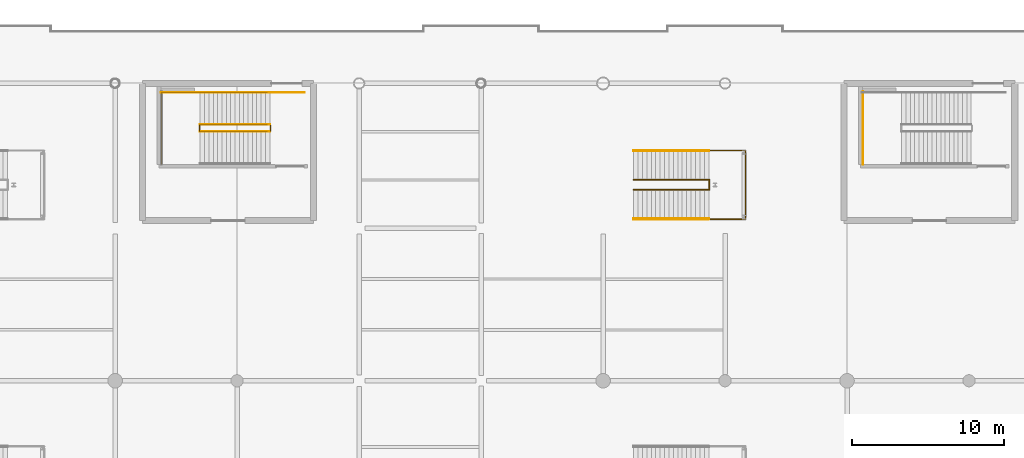
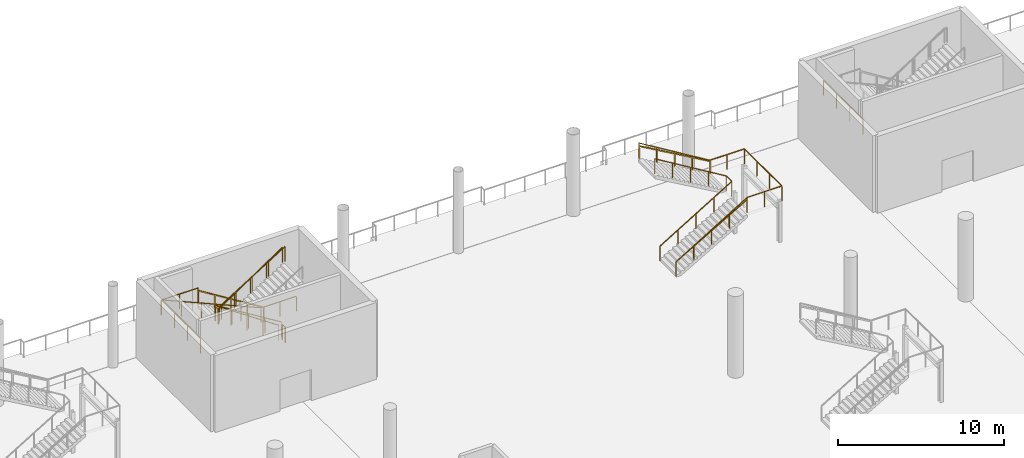
# One storey, part 161 of 163: 16 railings, 1 element without a shape of its own.
"""IFC4 building model written with IfcOpenShell, lengths in metres."""

import ifcopenshell
import ifcopenshell.guid

model = None  # the IFC model being written
_history = None  # IfcOwnerHistory: only IFC2X3 demands one
_inside = {}  # id of a spatial element -> (the spatial element, [elements in it])
_under = {}  # id of a project, library or spatial element -> (it, [spatial elements below it])
_declared = {}  # id of a project -> (the project, [libraries it declares])
_typed = {}  # id of a type object -> (the type object, [elements of that type])
_made_of = {}  # id of a material, layer set ... -> (it, [elements and type objects made of it])


def new_model(schema):
    """Start an empty IFC model of exactly this schema.

    Asked for "IFC4X3", IfcOpenShell would pick the latest addendum, in which some entities
    have other attributes; the version numbers below select the first issue.
    IFC2X3 requires an IfcOwnerHistory on every rooted entity: one is made here for all.
    """
    global model, _history
    if schema == "IFC4X3":
        model = ifcopenshell.file(schema_version=(4, 3, 0, 0))
    else:
        model = ifcopenshell.file(schema=schema)
    _inside.clear()
    _under.clear()
    _declared.clear()
    _typed.clear()
    _made_of.clear()
    _history = None
    if model.schema == "IFC2X3":
        org = make("IfcOrganization", Name="unknown")
        user = make(
            "IfcPersonAndOrganization",
            ThePerson=make("IfcPerson", FamilyName="unknown"),
            TheOrganization=org,
        )
        app = make(
            "IfcApplication",
            ApplicationDeveloper=org,
            Version="unknown",
            ApplicationFullName="unknown",
            ApplicationIdentifier="unknown",
        )
        _history = make(
            "IfcOwnerHistory",
            OwningUser=user,
            OwningApplication=app,
            ChangeAction="ADDED",
            CreationDate=0,
        )
    return model


def make(cls, **values):
    """One entity of the class cls with the attributes given. An attribute that is None is left unset."""
    return model.create_entity(
        cls, **{name: value for name, value in values.items() if value is not None}
    )


def rooted(cls, **values):
    """An entity with a GlobalId (a new one), such as an element, a storey or a relation."""
    return make(cls, GlobalId=ifcopenshell.guid.new(), OwnerHistory=_history, **values)


def si_unit(unit_type, name, prefix=None):
    """IfcSIUnit, for example si_unit("LENGTHUNIT", "METRE", prefix="MILLI")."""
    return make("IfcSIUnit", UnitType=unit_type, Prefix=prefix, Name=name)


def assignment(units):
    """IfcUnitAssignment: the units of a project."""
    return None if units is None else make("IfcUnitAssignment", Units=units)


def point(xyz):
    """IfcCartesianPoint."""
    return None if xyz is None else make("IfcCartesianPoint", Coordinates=xyz)


def direction(xyz):
    """IfcDirection."""
    return None if xyz is None else make("IfcDirection", DirectionRatios=xyz)


def frame(location, z_axis=None, x_axis=None):
    """IfcAxis2Placement3D, a coordinate frame: its origin and axes. An axis left out is left unset."""
    return make(
        "IfcAxis2Placement3D",
        Location=point(location),
        Axis=direction(z_axis),
        RefDirection=direction(x_axis),
    )


def frame_2d(location, x_axis=None):
    """IfcAxis2Placement2D, a coordinate frame in the plane: its origin and x axis."""
    return make(
        "IfcAxis2Placement2D", Location=point(location), RefDirection=direction(x_axis)
    )


def origin():
    """The frame at (0, 0, 0) with its axes left unset."""
    return frame((0.0, 0.0, 0.0))


def origin_2d():
    """The frame at (0, 0) in the plane with its x axis left unset."""
    return frame_2d((0.0, 0.0))


def place(relative_to, where):
    """IfcLocalPlacement: puts the frame where relative to a parent placement (None: the world)."""
    return make(
        "IfcLocalPlacement", PlacementRelTo=relative_to, RelativePlacement=where
    )


def context(
    kind, dimensions, precision=None, world=None, true_north=None, identifier=None
):
    """IfcGeometricRepresentationContext, for example the 3D "Model" context."""
    return make(
        "IfcGeometricRepresentationContext",
        ContextIdentifier=identifier,
        ContextType=kind,
        CoordinateSpaceDimension=dimensions,
        Precision=precision,
        WorldCoordinateSystem=world,
        TrueNorth=true_north,
    )


def subcontext(parent, identifier, kind, view, scale=None):
    """IfcGeometricRepresentationSubContext, for example "Body" below "Model"."""
    return make(
        "IfcGeometricRepresentationSubContext",
        ContextIdentifier=identifier,
        ContextType=kind,
        ParentContext=parent,
        TargetScale=scale,
        TargetView=view,
    )


def project(units=None, contexts=None):
    """IfcProject with its units and contexts."""
    return rooted(
        "IfcProject",
        Name="project",
        RepresentationContexts=contexts,
        UnitsInContext=assignment(units),
    )


def spatial(cls, under=None, at=None, **own):
    """A site, building, storey or space (cls), placed at a placement, below another one or the project."""
    s = rooted(cls, ObjectPlacement=at, **own)
    if under is not None:
        _under.setdefault(under.id(), (under, []))[1].append(s)
    return s


def profile(cls, at=None, kind="AREA", **sizes):
    """A parametric profile (cls). Its sizes go by their IFC names, for example OverallWidth=200.0."""
    return make(cls, ProfileType=kind, Position=at, **sizes)


def rectangle(**sizes):
    """IfcRectangleProfileDef."""
    return profile("IfcRectangleProfileDef", **sizes)


def extrude(swept, where, along, depth):
    """IfcExtrudedAreaSolid: the profile swept, set in the frame where, extruded along a direction by depth."""
    return make(
        "IfcExtrudedAreaSolid",
        SweptArea=swept,
        Position=where,
        ExtrudedDirection=direction(along),
        Depth=depth,
    )


def shape(context_of_items, identifier, shape_type, items):
    """IfcShapeRepresentation: the items that make up one representation, for example the "Body"."""
    return make(
        "IfcShapeRepresentation",
        ContextOfItems=context_of_items,
        RepresentationIdentifier=identifier,
        RepresentationType=shape_type,
        Items=items,
    )


def material(Name=None, Category=None):
    """IfcMaterial."""
    return make("IfcMaterial", Name=Name, Category=Category)


def made_of(thing, what):
    """Note that an element or type object is made of a material, layer set ...; save() writes the relation."""
    if what is not None:
        _made_of.setdefault(what.id(), (what, []))[1].append(thing)
    return thing


def type_object(cls, material=None, **own):
    """A type object (cls), such as IfcWallType, which elements share."""
    return made_of(rooted(cls, **own), material)


def element(
    cls,
    number,
    at=None,
    inside=None,
    cuts=None,
    type_object=None,
    material=None,
    context=None,
    identifier="Body",
    shape_type=None,
    held_by="IfcProductDefinitionShape",
    body=None,
    shapes=None,
    **own,
):
    """One element of the class cls, such as IfcWall. Its Tag is "e" and its number.

    at: its placement. inside: the storey or other place that contains it. cuts: it is an
    opening in that element (IfcRelVoidsElement). A single representation is given by context,
    identifier, shape_type and body (its items); several are given by shapes. held_by: the class
    of the entity that holds the representations. save() writes the other relations.
    """
    e = rooted(cls, Tag="e%d" % number, ObjectPlacement=at, **own)
    if body is not None:
        shapes = [shape(context, identifier, shape_type, body)]
    if shapes is not None:
        e.Representation = make(held_by, Representations=shapes)
    if inside is not None:
        _inside.setdefault(inside.id(), (inside, []))[1].append(e)
    if cuts is not None:
        rooted(
            "IfcRelVoidsElement", RelatingBuildingElement=cuts, RelatedOpeningElement=e
        )
    if type_object is not None:
        _typed.setdefault(type_object.id(), (type_object, []))[1].append(e)
    return made_of(e, material)


def aggregate(whole, parts):
    """IfcRelAggregates: a whole, such as a stair, and the parts it consists of."""
    return rooted("IfcRelAggregates", RelatingObject=whole, RelatedObjects=parts)


def save(model, path):
    """Write the relations noted so far, then the file.

    IfcRelAggregates (storeys below a building ...), IfcRelContainedInSpatialStructure (elements
    in a storey), IfcRelDefinesByType, IfcRelAssociatesMaterial and IfcRelDeclares: one each for
    every whole, place, type object, material and project.
    """
    for whole, parts in _under.values():
        aggregate(whole, parts)
    for where, things in _inside.values():
        rooted(
            "IfcRelContainedInSpatialStructure",
            RelatedElements=things,
            RelatingStructure=where,
        )
    for kind, things in _typed.values():
        rooted("IfcRelDefinesByType", RelatedObjects=things, RelatingType=kind)
    for what, things in _made_of.values():
        rooted("IfcRelAssociatesMaterial", RelatedObjects=things, RelatingMaterial=what)
    for by, libraries in _declared.values():
        rooted("IfcRelDeclares", RelatingContext=by, RelatedDefinitions=libraries)
    model.write(path)


model = new_model("IFC4")

# Units and contexts
model_context = context("Model", 3, precision=1e-05, world=origin(), true_north=direction((0.0, 1.0)))
body_context = subcontext(model_context, "Body", "Model", "MODEL_VIEW")
ifc_project = project(units=[si_unit("LENGTHUNIT", "METRE"), si_unit("AREAUNIT", "SQUARE_METRE"), si_unit("VOLUMEUNIT", "CUBIC_METRE"), si_unit("PLANEANGLEUNIT", "RADIAN"), si_unit("MASSUNIT", "GRAM", prefix="KILO")], contexts=[model_context])

# Site, building, storey
site_placement = place(None, origin())
site = spatial("IfcSite", under=ifc_project, at=site_placement, CompositionType="ELEMENT")
building_placement = place(site_placement, origin())
building = spatial("IfcBuilding", under=site, at=building_placement, Name="Khorjan Park Terminus", CompositionType="ELEMENT")
storey_placement = place(building_placement, origin())
storey = spatial("IfcBuildingStorey", under=building, at=storey_placement, Name="L00", CompositionType="ELEMENT", Elevation=0.0)

# Railings
ifc_material_1 = material(Name="Steel S355", Category="steel")
railing_type_1 = type_object("IfcRailingType", Name="GR-112", PredefinedType="GUARDRAIL", material=ifc_material_1)
railing_1_placement = place(storey_placement, frame((82.14, 151.3, 0.1765)))
element("IfcRailing", 1, at=railing_1_placement, inside=storey, type_object=railing_type_1, Name="L00 ST-06 stair guard 1", PredefinedType="GUARDRAIL", context=body_context, shape_type="SweptSolid", body=[
    extrude(rectangle(XDim=0.048, YDim=0.048, at=origin_2d()), frame((0.0, 0.0, 1.096), z_axis=(-0.850211499722, 0.0, 0.526441265234), x_axis=(0.0, -1.0, 0.0)), (0.0, 0.0, 1.0), 5.3634),
    extrude(rectangle(XDim=0.042, YDim=0.042, at=origin_2d()), origin(), (0.0, 0.0, 1.0), 1.072),
    extrude(rectangle(XDim=0.042, YDim=0.042, at=origin_2d()), frame((-1.14, 0.0, 0.7059)), (0.0, 0.0, 1.0), 1.072),
    extrude(rectangle(XDim=0.042, YDim=0.042, at=origin_2d()), frame((-2.28, 0.0, 1.4118)), (0.0, 0.0, 1.0), 1.072),
    extrude(rectangle(XDim=0.042, YDim=0.042, at=origin_2d()), frame((-3.42, 0.0, 2.1176)), (0.0, 0.0, 1.0), 1.072),
    extrude(rectangle(XDim=0.042, YDim=0.042, at=origin_2d()), frame((-4.56, 0.0, 2.8235)), (0.0, 0.0, 1.0), 1.072),
])
railing_2_placement = place(storey_placement, frame((77.53, 151.25, 3.0)))
element("IfcRailing", 2, at=railing_2_placement, inside=storey, type_object=railing_type_1, Name="L00 ST-06 stair guard 2", PredefinedType="GUARDRAIL", context=body_context, shape_type="SweptSolid", body=[
    extrude(rectangle(XDim=0.048, YDim=0.048, at=origin_2d()), frame((0.0, 0.0, 1.096), z_axis=(0.0, -1.0, 0.0), x_axis=(1.0, 0.0, 0.0)), (0.0, 0.0, 1.0), 0.36),
    extrude(rectangle(XDim=0.042, YDim=0.042, at=origin_2d()), origin(), (0.0, 0.0, 1.0), 1.072),
    extrude(rectangle(XDim=0.042, YDim=0.042, at=origin_2d()), frame((0.0, -0.36, 0.0)), (0.0, 0.0, 1.0), 1.072),
])
railing_3_placement = place(storey_placement, frame((77.58, 153.4, 3.0)))
element("IfcRailing", 3, at=railing_3_placement, inside=storey, type_object=railing_type_1, Name="L00 ST-06 stair guard 3", PredefinedType="GUARDRAIL", context=body_context, shape_type="SweptSolid", body=[
    extrude(rectangle(XDim=0.048, YDim=0.048, at=origin_2d()), frame((0.0, 0.0, 1.096), z_axis=(-1.0, 0.0, 0.0), x_axis=(0.0, -1.0, 0.0)), (0.0, 0.0, 1.0), 2.58),
    extrude(rectangle(XDim=0.042, YDim=0.042, at=origin_2d()), origin(), (0.0, 0.0, 1.0), 1.072),
    extrude(rectangle(XDim=0.042, YDim=0.042, at=origin_2d()), frame((-1.29, 0.0, 0.0)), (0.0, 0.0, 1.0), 1.072),
    extrude(rectangle(XDim=0.042, YDim=0.042, at=origin_2d()), frame((-2.58, 0.0, 0.0)), (0.0, 0.0, 1.0), 1.072),
])
railing_4_placement = place(storey_placement, frame((77.58, 150.84, 3.1765)))
element("IfcRailing", 4, at=railing_4_placement, inside=storey, type_object=railing_type_1, Name="L00 ST-06 stair guard 5", PredefinedType="GUARDRAIL", context=body_context, shape_type="SweptSolid", body=[
    extrude(rectangle(XDim=0.048, YDim=0.048, at=origin_2d()), frame((0.0, 0.0, 1.096), z_axis=(0.850211499722, 0.0, 0.526441265234), x_axis=(0.0, 1.0, 0.0)), (0.0, 0.0, 1.0), 5.3634),
    extrude(rectangle(XDim=0.042, YDim=0.042, at=origin_2d()), origin(), (0.0, 0.0, 1.0), 1.072),
    extrude(rectangle(XDim=0.042, YDim=0.042, at=origin_2d()), frame((1.14, 0.0, 0.7059)), (0.0, 0.0, 1.0), 1.072),
    extrude(rectangle(XDim=0.042, YDim=0.042, at=origin_2d()), frame((2.28, 0.0, 1.4118)), (0.0, 0.0, 1.0), 1.072),
    extrude(rectangle(XDim=0.042, YDim=0.042, at=origin_2d()), frame((3.42, 0.0, 2.1176)), (0.0, 0.0, 1.0), 1.072),
    extrude(rectangle(XDim=0.042, YDim=0.042, at=origin_2d()), frame((4.56, 0.0, 2.8235)), (0.0, 0.0, 1.0), 1.072),
])
railing_5_placement = place(storey_placement, frame((82.19, 151.25, 0.0)))
element("IfcRailing", 5, at=railing_5_placement, inside=storey, type_object=railing_type_1, Name="L00 ST-06 stair guard 6", PredefinedType="GUARDRAIL", context=body_context, shape_type="SweptSolid", body=[
    extrude(rectangle(XDim=0.048, YDim=0.048, at=origin_2d()), frame((0.0, 0.0, 1.096), z_axis=(0.0, -1.0, 0.0), x_axis=(1.0, 0.0, 0.0)), (0.0, 0.0, 1.0), 0.36),
    extrude(rectangle(XDim=0.042, YDim=0.042, at=origin_2d()), origin(), (0.0, 0.0, 1.0), 1.072),
    extrude(rectangle(XDim=0.042, YDim=0.042, at=origin_2d()), frame((0.0, -0.36, 0.0)), (0.0, 0.0, 1.0), 1.072),
])
railing_6_placement = place(storey_placement, frame((84.4, 153.4, 0.0)))
element("IfcRailing", 6, at=railing_6_placement, inside=storey, type_object=railing_type_1, Name="L00 ST-06 stair guard 7", PredefinedType="GUARDRAIL", context=body_context, shape_type="SweptSolid", body=[
    extrude(rectangle(XDim=0.048, YDim=0.048, at=origin_2d()), frame((0.0, 0.0, 1.096), z_axis=(-1.0, 0.0, 0.0), x_axis=(0.0, -1.0, 0.0)), (0.0, 0.0, 1.0), 2.26),
    extrude(rectangle(XDim=0.042, YDim=0.042, at=origin_2d()), origin(), (0.0, 0.0, 1.0), 1.072),
    extrude(rectangle(XDim=0.042, YDim=0.042, at=origin_2d()), frame((-1.13, 0.0, 0.0)), (0.0, 0.0, 1.0), 1.072),
    extrude(rectangle(XDim=0.042, YDim=0.042, at=origin_2d()), frame((-2.26, 0.0, 0.0)), (0.0, 0.0, 1.0), 1.072),
])
railing_7_placement = place(storey_placement, frame((81.96, 151.29, 0.0)))
element("IfcRailing", 7, at=railing_7_placement, inside=storey, type_object=railing_type_1, Name="Core K6 stair well slot guard GR-112 (L00)", PredefinedType="GUARDRAIL", context=body_context, shape_type="SweptSolid", body=[
    extrude(rectangle(XDim=0.048, YDim=0.048, at=origin_2d()), frame((0.0, 0.0, 1.096), z_axis=(-0.827413642594, 0.0, 0.561592970086), x_axis=(0.0, -1.0, 0.0)), (0.0, 0.0, 1.0), 5.3419),
    extrude(rectangle(XDim=0.048, YDim=0.048, at=origin_2d()), frame((-4.42, 0.0, 4.096), z_axis=(0.0, -1.0, 0.0), x_axis=(1.0, 0.0, 0.0)), (0.0, 0.0, 1.0), 0.44),
    extrude(rectangle(XDim=0.048, YDim=0.048, at=origin_2d()), frame((-4.42, -0.44, 4.096), z_axis=(0.827413642594, 0.0, 0.561592970086), x_axis=(0.0, 1.0, 0.0)), (0.0, 0.0, 1.0), 5.3419),
    extrude(rectangle(XDim=0.042, YDim=0.042, at=origin_2d()), origin(), (0.0, 0.0, 1.0), 1.072),
    extrude(rectangle(XDim=0.042, YDim=0.042, at=origin_2d()), frame((-1.105, 0.0, 0.75)), (0.0, 0.0, 1.0), 1.072),
    extrude(rectangle(XDim=0.042, YDim=0.042, at=origin_2d()), frame((-2.21, 0.0, 1.5)), (0.0, 0.0, 1.0), 1.072),
    extrude(rectangle(XDim=0.042, YDim=0.042, at=origin_2d()), frame((-3.315, 0.0, 2.25)), (0.0, 0.0, 1.0), 1.072),
    extrude(rectangle(XDim=0.042, YDim=0.042, at=origin_2d()), frame((-4.42, 0.0, 3.0)), (0.0, 0.0, 1.0), 1.072),
    extrude(rectangle(XDim=0.042, YDim=0.042, at=origin_2d()), frame((-4.42, -0.44, 3.0)), (0.0, 0.0, 1.0), 1.072),
    extrude(rectangle(XDim=0.042, YDim=0.042, at=origin_2d()), frame((-3.315, -0.44, 3.75)), (0.0, 0.0, 1.0), 1.072),
    extrude(rectangle(XDim=0.042, YDim=0.042, at=origin_2d()), frame((-2.21, -0.44, 4.5)), (0.0, 0.0, 1.0), 1.072),
    extrude(rectangle(XDim=0.042, YDim=0.042, at=origin_2d()), frame((-1.105, -0.44, 5.25)), (0.0, 0.0, 1.0), 1.072),
    extrude(rectangle(XDim=0.042, YDim=0.042, at=origin_2d()), frame((0.0, -0.44, 6.0)), (0.0, 0.0, 1.0), 1.072),
])
railing_8_placement = place(storey_placement, frame((81.96, 153.41, 0.0)))
element("IfcRailing", 8, at=railing_8_placement, inside=storey, type_object=railing_type_1, Name="Core K6 stair side & landing guard GR-112 (L00)", PredefinedType="GUARDRAIL", context=body_context, shape_type="SweptSolid", body=[
    extrude(rectangle(XDim=0.048, YDim=0.048, at=origin_2d()), frame((0.0, 0.0, 1.096), z_axis=(-0.917491118927, 0.0, 0.397756265431), x_axis=(0.0, -1.0, 0.0)), (0.0, 0.0, 1.0), 7.5423),
    extrude(rectangle(XDim=0.048, YDim=0.048, at=origin_2d()), frame((-6.92, 0.0, 4.096), z_axis=(0.0, -1.0, 0.0), x_axis=(1.0, 0.0, 0.0)), (0.0, 0.0, 1.0), 4.68),
    extrude(rectangle(XDim=0.042, YDim=0.042, at=origin_2d()), origin(), (0.0, 0.0, 1.0), 1.072),
    extrude(rectangle(XDim=0.042, YDim=0.042, at=origin_2d()), frame((-1.384, 0.0, 0.6)), (0.0, 0.0, 1.0), 1.072),
    extrude(rectangle(XDim=0.042, YDim=0.042, at=origin_2d()), frame((-2.768, 0.0, 1.2)), (0.0, 0.0, 1.0), 1.072),
    extrude(rectangle(XDim=0.042, YDim=0.042, at=origin_2d()), frame((-4.152, 0.0, 1.8)), (0.0, 0.0, 1.0), 1.072),
    extrude(rectangle(XDim=0.042, YDim=0.042, at=origin_2d()), frame((-5.536, 0.0, 2.4)), (0.0, 0.0, 1.0), 1.072),
    extrude(rectangle(XDim=0.042, YDim=0.042, at=origin_2d()), frame((-6.92, 0.0, 3.0)), (0.0, 0.0, 1.0), 1.072),
    extrude(rectangle(XDim=0.042, YDim=0.042, at=origin_2d()), frame((-6.92, -1.56, 3.0)), (0.0, 0.0, 1.0), 1.072),
    extrude(rectangle(XDim=0.042, YDim=0.042, at=origin_2d()), frame((-6.92, -3.12, 3.0)), (0.0, 0.0, 1.0), 1.072),
    extrude(rectangle(XDim=0.042, YDim=0.042, at=origin_2d()), frame((-6.92, -4.68, 3.0)), (0.0, 0.0, 1.0), 1.072),
])
railing_9_placement = place(storey_placement, frame((121.05, 153.45, 3.0)))
element("IfcRailing", 9, at=railing_9_placement, inside=storey, type_object=railing_type_1, Name="L00 ST-07 stair guard 4", PredefinedType="GUARDRAIL", context=body_context, shape_type="SweptSolid", body=[
    extrude(rectangle(XDim=0.048, YDim=0.048, at=origin_2d()), frame((0.0, 0.0, 1.096), z_axis=(0.0, -1.0, 0.0), x_axis=(1.0, 0.0, 0.0)), (0.0, 0.0, 1.0), 4.76),
    extrude(rectangle(XDim=0.042, YDim=0.042, at=origin_2d()), origin(), (0.0, 0.0, 1.0), 1.072),
    extrude(rectangle(XDim=0.042, YDim=0.042, at=origin_2d()), frame((0.0, -1.5867, 0.0)), (0.0, 0.0, 1.0), 1.072),
    extrude(rectangle(XDim=0.042, YDim=0.042, at=origin_2d()), frame((0.0, -3.1733, 0.0)), (0.0, 0.0, 1.0), 1.072),
    extrude(rectangle(XDim=0.042, YDim=0.042, at=origin_2d()), frame((0.0, -4.76, 0.0)), (0.0, 0.0, 1.0), 1.072),
])

# Stair, railings
ifc_material_2 = material(Name="Concrete C40/50", Category="concrete")
stair_type = type_object("IfcStairType", Name="STR-PUB-200", PredefinedType="HALF_TURN_STAIR", material=ifc_material_2)
stair_placement = place(storey_placement, origin())
stair = element("IfcStair", 10, at=stair_placement, inside=storey, type_object=stair_type, Name="Public passenger half-turn stair PS-06", PredefinedType="HALF_TURN_STAIR")
railing_10_placement = place(storey_placement, frame((106.0, 147.02, 0.0)))
railing_10 = element("IfcRailing", 11, at=railing_10_placement, type_object=railing_type_1, Name="Stair PS-06 inner well slot guard GR-112", PredefinedType="GUARDRAIL", context=body_context, shape_type="SweptSolid", body=[
    extrude(rectangle(XDim=0.048, YDim=0.048, at=origin_2d()), frame((0.0, 0.0, 1.096), z_axis=(0.856121964148, 0.0, 0.516773821418), x_axis=(0.0, 1.0, 0.0)), (0.0, 0.0, 1.0), 5.8052),
    extrude(rectangle(XDim=0.048, YDim=0.048, at=origin_2d()), frame((4.97, 0.0, 4.096), z_axis=(0.0, 1.0, 0.0), x_axis=(-1.0, 0.0, 0.0)), (0.0, 0.0, 1.0), 0.66),
    extrude(rectangle(XDim=0.048, YDim=0.048, at=origin_2d()), frame((4.97, 0.66, 4.096), z_axis=(-0.856121964148, 0.0, 0.516773821418), x_axis=(0.0, -1.0, 0.0)), (0.0, 0.0, 1.0), 5.8052),
    extrude(rectangle(XDim=0.042, YDim=0.042, at=origin_2d()), origin(), (0.0, 0.0, 1.0), 1.072),
    extrude(rectangle(XDim=0.042, YDim=0.042, at=origin_2d()), frame((1.2425, 0.0, 0.75)), (0.0, 0.0, 1.0), 1.072),
    extrude(rectangle(XDim=0.042, YDim=0.042, at=origin_2d()), frame((2.485, 0.0, 1.5)), (0.0, 0.0, 1.0), 1.072),
    extrude(rectangle(XDim=0.042, YDim=0.042, at=origin_2d()), frame((3.7275, 0.0, 2.25)), (0.0, 0.0, 1.0), 1.072),
    extrude(rectangle(XDim=0.042, YDim=0.042, at=origin_2d()), frame((4.97, 0.0, 3.0)), (0.0, 0.0, 1.0), 1.072),
    extrude(rectangle(XDim=0.042, YDim=0.042, at=origin_2d()), frame((4.97, 0.66, 3.0)), (0.0, 0.0, 1.0), 1.072),
    extrude(rectangle(XDim=0.042, YDim=0.042, at=origin_2d()), frame((3.7275, 0.66, 3.75)), (0.0, 0.0, 1.0), 1.072),
    extrude(rectangle(XDim=0.042, YDim=0.042, at=origin_2d()), frame((2.485, 0.66, 4.5)), (0.0, 0.0, 1.0), 1.072),
    extrude(rectangle(XDim=0.042, YDim=0.042, at=origin_2d()), frame((1.2425, 0.66, 5.25)), (0.0, 0.0, 1.0), 1.072),
    extrude(rectangle(XDim=0.042, YDim=0.042, at=origin_2d()), frame((0.0, 0.66, 6.0)), (0.0, 0.0, 1.0), 1.072),
])
railing_11_placement = place(storey_placement, frame((110.93, 145.1, 3.0)))
railing_11 = element("IfcRailing", 12, at=railing_11_placement, type_object=railing_type_1, Name="Stair PS-06 horizontal half-landing guard GR-112", PredefinedType="GUARDRAIL", context=body_context, shape_type="SweptSolid", body=[
    extrude(rectangle(XDim=0.048, YDim=0.048, at=origin_2d()), frame((0.0, 0.0, 1.096), z_axis=(1.0, 0.0, 0.0), x_axis=(0.0, 1.0, 0.0)), (0.0, 0.0, 1.0), 2.41),
    extrude(rectangle(XDim=0.048, YDim=0.048, at=origin_2d()), frame((2.41, 0.0, 1.096), z_axis=(0.0, 1.0, 0.0), x_axis=(-1.0, 0.0, 0.0)), (0.0, 0.0, 1.0), 4.5),
    extrude(rectangle(XDim=0.048, YDim=0.048, at=origin_2d()), frame((2.41, 4.5, 1.096), z_axis=(-1.0, 0.0, 0.0), x_axis=(0.0, -1.0, 0.0)), (0.0, 0.0, 1.0), 2.41),
    extrude(rectangle(XDim=0.042, YDim=0.042, at=origin_2d()), origin(), (0.0, 0.0, 1.0), 1.072),
    extrude(rectangle(XDim=0.042, YDim=0.042, at=origin_2d()), frame((1.205, 0.0, 0.0)), (0.0, 0.0, 1.0), 1.072),
    extrude(rectangle(XDim=0.042, YDim=0.042, at=origin_2d()), frame((2.41, 0.0, 0.0)), (0.0, 0.0, 1.0), 1.072),
    extrude(rectangle(XDim=0.042, YDim=0.042, at=origin_2d()), frame((2.41, 1.5, 0.0)), (0.0, 0.0, 1.0), 1.072),
    extrude(rectangle(XDim=0.042, YDim=0.042, at=origin_2d()), frame((2.41, 3.0, 0.0)), (0.0, 0.0, 1.0), 1.072),
    extrude(rectangle(XDim=0.042, YDim=0.042, at=origin_2d()), frame((2.41, 4.5, 0.0)), (0.0, 0.0, 1.0), 1.072),
    extrude(rectangle(XDim=0.042, YDim=0.042, at=origin_2d()), frame((1.205, 4.5, 0.0)), (0.0, 0.0, 1.0), 1.072),
    extrude(rectangle(XDim=0.042, YDim=0.042, at=origin_2d()), frame((0.0, 4.5, 0.0)), (0.0, 0.0, 1.0), 1.072),
])
railing_12_placement = place(storey_placement, frame((106.0, 145.1, 0.0)))
railing_12 = element("IfcRailing", 13, at=railing_12_placement, type_object=railing_type_1, Name="Stair PS-06 lower outer flight guard GR-112", PredefinedType="GUARDRAIL", context=body_context, shape_type="SweptSolid", body=[
    extrude(rectangle(XDim=0.048, YDim=0.048, at=origin_2d()), frame((0.0, 0.0, 1.096), z_axis=(0.854265470084, 0.0, 0.519837000051), x_axis=(0.0, 1.0, 0.0)), (0.0, 0.0, 1.0), 5.771),
    extrude(rectangle(XDim=0.042, YDim=0.042, at=origin_2d()), origin(), (0.0, 0.0, 1.0), 1.072),
    extrude(rectangle(XDim=0.042, YDim=0.042, at=origin_2d()), frame((1.2325, 0.0, 0.75)), (0.0, 0.0, 1.0), 1.072),
    extrude(rectangle(XDim=0.042, YDim=0.042, at=origin_2d()), frame((2.465, 0.0, 1.5)), (0.0, 0.0, 1.0), 1.072),
    extrude(rectangle(XDim=0.042, YDim=0.042, at=origin_2d()), frame((3.6975, 0.0, 2.25)), (0.0, 0.0, 1.0), 1.072),
    extrude(rectangle(XDim=0.042, YDim=0.042, at=origin_2d()), frame((4.93, 0.0, 3.0)), (0.0, 0.0, 1.0), 1.072),
])
railing_13_placement = place(storey_placement, frame((110.93, 149.6, 3.0)))
railing_13 = element("IfcRailing", 14, at=railing_13_placement, type_object=railing_type_1, Name="Stair PS-06 upper outer flight guard GR-112", PredefinedType="GUARDRAIL", context=body_context, shape_type="SweptSolid", body=[
    extrude(rectangle(XDim=0.048, YDim=0.048, at=origin_2d()), frame((0.0, 0.0, 1.096), z_axis=(-0.854265470084, 0.0, 0.519837000051), x_axis=(0.0, -1.0, 0.0)), (0.0, 0.0, 1.0), 5.771),
    extrude(rectangle(XDim=0.042, YDim=0.042, at=origin_2d()), origin(), (0.0, 0.0, 1.0), 1.072),
    extrude(rectangle(XDim=0.042, YDim=0.042, at=origin_2d()), frame((-1.2325, 0.0, 0.75)), (0.0, 0.0, 1.0), 1.072),
    extrude(rectangle(XDim=0.042, YDim=0.042, at=origin_2d()), frame((-2.465, 0.0, 1.5)), (0.0, 0.0, 1.0), 1.072),
    extrude(rectangle(XDim=0.042, YDim=0.042, at=origin_2d()), frame((-3.6975, 0.0, 2.25)), (0.0, 0.0, 1.0), 1.072),
    extrude(rectangle(XDim=0.042, YDim=0.042, at=origin_2d()), frame((-4.93, 0.0, 3.0)), (0.0, 0.0, 1.0), 1.072),
])

# Railing
railing_type_2 = type_object("IfcRailingType", Name="HR-92", PredefinedType="HANDRAIL", material=ifc_material_1)
railing_14_placement = place(storey_placement, frame((82.14, 153.4, 0.1765)))
element("IfcRailing", 15, at=railing_14_placement, inside=storey, type_object=railing_type_2, Name="L00 ST-06 stair handrail 1", PredefinedType="HANDRAIL", context=body_context, shape_type="SweptSolid", body=[
    extrude(rectangle(XDim=0.048, YDim=0.048, at=origin_2d()), frame((0.0, 0.0, 0.896), z_axis=(-0.850211499722, 0.0, 0.526441265234), x_axis=(0.0, -1.0, 0.0)), (0.0, 0.0, 1.0), 5.3634),
    extrude(rectangle(XDim=0.042, YDim=0.042, at=origin_2d()), origin(), (0.0, 0.0, 1.0), 0.872),
    extrude(rectangle(XDim=0.042, YDim=0.042, at=origin_2d()), frame((-1.14, 0.0, 0.7059)), (0.0, 0.0, 1.0), 0.872),
    extrude(rectangle(XDim=0.042, YDim=0.042, at=origin_2d()), frame((-2.28, 0.0, 1.4118)), (0.0, 0.0, 1.0), 0.872),
    extrude(rectangle(XDim=0.042, YDim=0.042, at=origin_2d()), frame((-3.42, 0.0, 2.1176)), (0.0, 0.0, 1.0), 0.872),
    extrude(rectangle(XDim=0.042, YDim=0.042, at=origin_2d()), frame((-4.56, 0.0, 2.8235)), (0.0, 0.0, 1.0), 0.872),
])

railing_15_placement = place(storey_placement, frame((106.0, 145.14, 0.1667)))
railing_15 = element("IfcRailing", 16, at=railing_15_placement, type_object=railing_type_2, Name="Stair PS-06 lower handrail HR-92", PredefinedType="HANDRAIL", context=body_context, shape_type="SweptSolid", body=[
    extrude(rectangle(XDim=0.048, YDim=0.048, at=origin_2d()), frame((0.0, 0.0, 0.896), z_axis=(0.867016476548, 0.0, 0.498279469169), x_axis=(0.0, 1.0, 0.0)), (0.0, 0.0, 1.0), 5.6862),
    extrude(rectangle(XDim=0.042, YDim=0.042, at=origin_2d()), origin(), (0.0, 0.0, 1.0), 0.872),
    extrude(rectangle(XDim=0.042, YDim=0.042, at=origin_2d()), frame((1.2325, 0.0, 0.7083)), (0.0, 0.0, 1.0), 0.872),
    extrude(rectangle(XDim=0.042, YDim=0.042, at=origin_2d()), frame((2.465, 0.0, 1.4166)), (0.0, 0.0, 1.0), 0.872),
    extrude(rectangle(XDim=0.042, YDim=0.042, at=origin_2d()), frame((3.6975, 0.0, 2.125)), (0.0, 0.0, 1.0), 0.872),
    extrude(rectangle(XDim=0.042, YDim=0.042, at=origin_2d()), frame((4.93, 0.0, 2.8333)), (0.0, 0.0, 1.0), 0.872),
])

railing_16_placement = place(storey_placement, frame((110.93, 149.56, 3.1667)))
railing_16 = element("IfcRailing", 17, at=railing_16_placement, type_object=railing_type_2, Name="Stair PS-06 upper handrail HR-92", PredefinedType="HANDRAIL", context=body_context, shape_type="SweptSolid", body=[
    extrude(rectangle(XDim=0.048, YDim=0.048, at=origin_2d()), frame((0.0, 0.0, 0.896), z_axis=(-0.867016476548, 0.0, 0.498279469169), x_axis=(0.0, -1.0, 0.0)), (0.0, 0.0, 1.0), 5.6862),
    extrude(rectangle(XDim=0.042, YDim=0.042, at=origin_2d()), origin(), (0.0, 0.0, 1.0), 0.872),
    extrude(rectangle(XDim=0.042, YDim=0.042, at=origin_2d()), frame((-1.2325, 0.0, 0.7083)), (0.0, 0.0, 1.0), 0.872),
    extrude(rectangle(XDim=0.042, YDim=0.042, at=origin_2d()), frame((-2.465, 0.0, 1.4166)), (0.0, 0.0, 1.0), 0.872),
    extrude(rectangle(XDim=0.042, YDim=0.042, at=origin_2d()), frame((-3.6975, 0.0, 2.125)), (0.0, 0.0, 1.0), 0.872),
    extrude(rectangle(XDim=0.042, YDim=0.042, at=origin_2d()), frame((-4.93, 0.0, 2.8333)), (0.0, 0.0, 1.0), 0.872),
])

aggregate(stair, [railing_15, railing_16, railing_10, railing_11, railing_12, railing_13])

save(model, "model.ifc")
